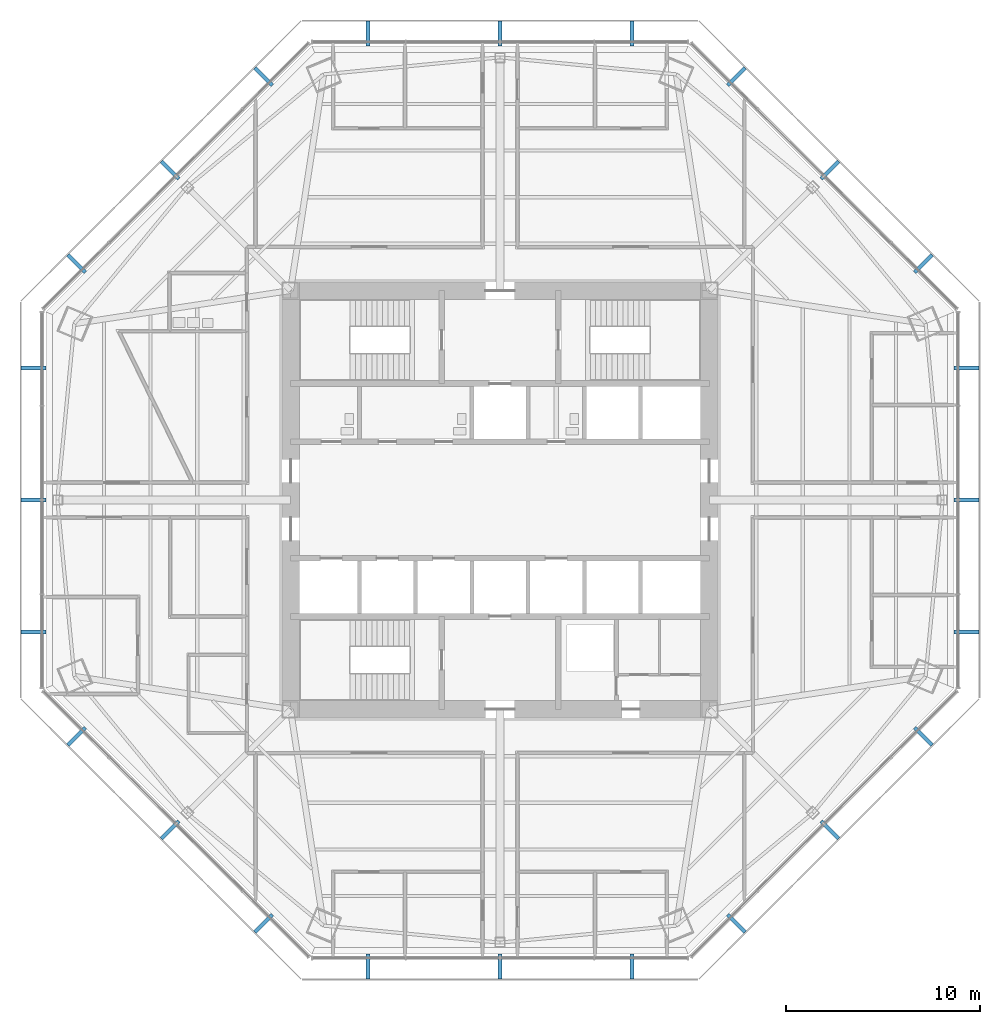
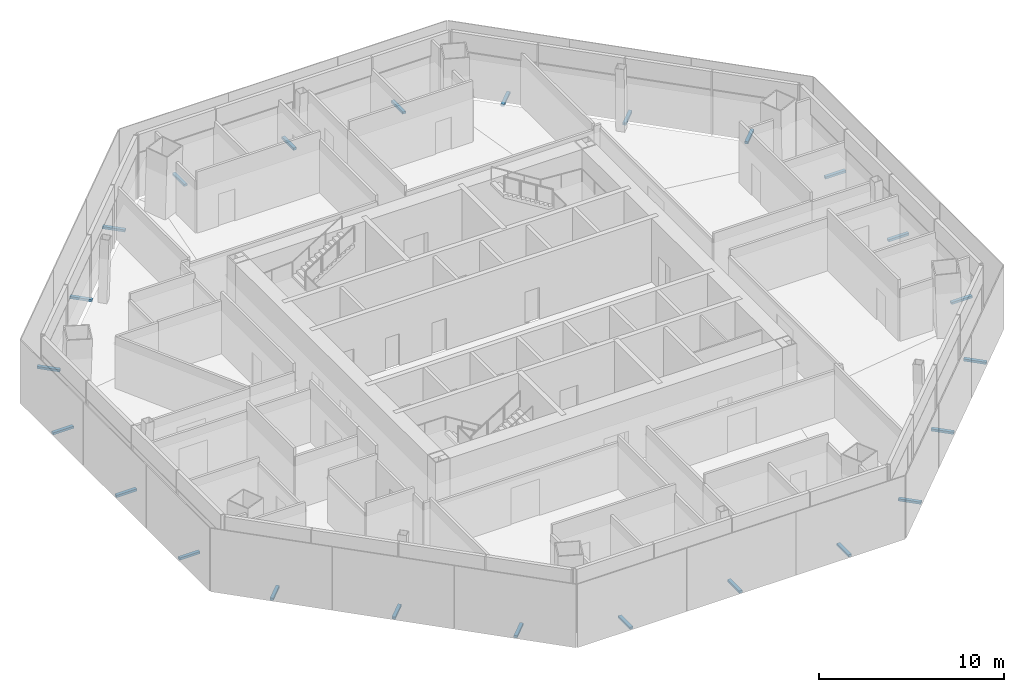
# One storey, part 12 of 15: 24 discrete accessories.
"""IFC4 building model written with IfcOpenShell, lengths in metres."""

from ifc_helpers import new_model, si_unit, direction, frame, origin, origin_2d, place, context, subcontext, project, spatial, rectangle, extrude, source, transform, mapped, material, type_object, type_shapes, element, save


model = new_model("IFC4")

# Units and contexts
model_context = context("Model", 3, precision=1e-05, world=origin(), true_north=direction((0.0, 1.0)))
body_context = subcontext(model_context, "Body", "Model", "MODEL_VIEW")
ifc_project = project(units=[si_unit("LENGTHUNIT", "METRE"), si_unit("AREAUNIT", "SQUARE_METRE"), si_unit("VOLUMEUNIT", "CUBIC_METRE"), si_unit("PLANEANGLEUNIT", "RADIAN"), si_unit("MASSUNIT", "GRAM", prefix="KILO")], contexts=[model_context])

# Site, building, storey
site_placement = place(None, origin())
site = spatial("IfcSite", under=ifc_project, at=site_placement, CompositionType="ELEMENT")
building_placement = place(site_placement, origin())
building = spatial("IfcBuilding", under=site, at=building_placement, Name="Mashrafa Tower", CompositionType="ELEMENT")
storey_placement = place(building_placement, frame((0.0, 0.0, 155.39990234375)))
storey = spatial("IfcBuildingStorey", under=building, at=storey_placement, Name="L35", CompositionType="ELEMENT", Elevation=155.39990234375)

# Discrete accessories
ifc_material = material(Name="Stainless steel screen bracket", Category="steel")
discrete_accessory_type = type_object("IfcDiscreteAccessoryType", Name="Screen support bracket 200 x 150", PredefinedType="BRACKET", material=ifc_material)
shared_shape = source(origin(), body_context, "Body", "SweptSolid", [
    extrude(rectangle(XDim=0.199951171875, YDim=1.27001953125, at=origin_2d()), origin(), (0.0, 0.0, 1.0), 0.14990234375),
])
type_shapes(discrete_accessory_type, [shared_shape])
for number, where, z_axis, x_axis, name in (
    (1, (24.0537109375, -6.81103515625, -0.14990234375), (0.0, 0.0, 1.0), (0.0, 1.0, 0.0), "Screen support bracket L35 east 1"),
    (2, (24.0537109375, 0.0, -0.14990234375), (0.0, 0.0, 1.0), (0.0, 1.0, 0.0), "Screen support bracket L35 east 2"),
    (3, (24.0537109375, 6.81103515625, -0.14990234375), (0.0, 0.0, 1.0), (0.0, 1.0, 0.0), "Screen support bracket L35 east 3"),
    (4, (21.824462890625, 12.1923828125, -0.14990234375), (0.0, 0.0, 1.0), (-0.707106781187, 0.707106781187, 0.0), "Screen support bracket L35 north-east 1"),
    (5, (17.008544921875, 17.008544921875, -0.14990234375), (0.0, 0.0, 1.0), (-0.707106781187, 0.707106781187, 0.0), "Screen support bracket L35 north-east 2"),
    (6, (12.1923828125, 21.824462890625, -0.14990234375), (0.0, 0.0, 1.0), (-0.707106781187, 0.707106781187, 0.0), "Screen support bracket L35 north-east 3"),
    (7, (6.81103515625, 24.0537109375, -0.14990234375), (0.0, 0.0, 1.0), (-1.0, 0.0, 0.0), "Screen support bracket L35 north 1"),
    (8, (0.0, 24.0537109375, -0.14990234375), (0.0, 0.0, 1.0), (-1.0, 0.0, 0.0), "Screen support bracket L35 north 2"),
    (9, (-6.81103515625, 24.0537109375, -0.14990234375), (0.0, 0.0, 1.0), (-1.0, 0.0, 0.0), "Screen support bracket L35 north 3"),
    (10, (-12.1923828125, 21.824462890625, -0.14990234375), (0.0, 0.0, 1.0), (-0.707106781187, -0.707106781187, 0.0), "Screen support bracket L35 north-west 1"),
    (11, (-17.008544921875, 17.008544921875, -0.14990234375), (0.0, 0.0, 1.0), (-0.707106781187, -0.707106781187, 0.0), "Screen support bracket L35 north-west 2"),
    (12, (-21.824462890625, 12.1923828125, -0.14990234375), (0.0, 0.0, 1.0), (-0.707106781187, -0.707106781187, 0.0), "Screen support bracket L35 north-west 3"),
    (13, (-24.0537109375, 6.81103515625, -0.14990234375), (0.0, 0.0, 1.0), (0.0, -1.0, 0.0), "Screen support bracket L35 west 1"),
    (14, (-24.0537109375, 0.0, -0.14990234375), (0.0, 0.0, 1.0), (0.0, -1.0, 0.0), "Screen support bracket L35 west 2"),
    (15, (-24.0537109375, -6.81103515625, -0.14990234375), (0.0, 0.0, 1.0), (0.0, -1.0, 0.0), "Screen support bracket L35 west 3"),
    (16, (-21.824462890625, -12.1923828125, -0.14990234375), (0.0, 0.0, 1.0), (0.707106781187, -0.707106781187, 0.0), "Screen support bracket L35 south-west 1"),
    (17, (-17.008544921875, -17.008544921875, -0.14990234375), (0.0, 0.0, 1.0), (0.707106781187, -0.707106781187, 0.0), "Screen support bracket L35 south-west 2"),
    (18, (-12.1923828125, -21.824462890625, -0.14990234375), (0.0, 0.0, 1.0), (0.707106781187, -0.707106781187, 0.0), "Screen support bracket L35 south-west 3"),
    (19, (-6.81103515625, -24.0537109375, -0.14990234375), (0.0, 0.0, 1.0), (1.0, 0.0, 0.0), "Screen support bracket L35 south 1"),
    (20, (0.0, -24.0537109375, -0.14990234375), (0.0, 0.0, 1.0), (1.0, 0.0, 0.0), "Screen support bracket L35 south 2"),
    (21, (6.81103515625, -24.0537109375, -0.14990234375), (0.0, 0.0, 1.0), (1.0, 0.0, 0.0), "Screen support bracket L35 south 3"),
    (22, (12.1923828125, -21.824462890625, -0.14990234375), (0.0, 0.0, 1.0), (0.707106781187, 0.707106781187, 0.0), "Screen support bracket L35 south-east 1"),
    (23, (17.008544921875, -17.008544921875, -0.14990234375), (0.0, 0.0, 1.0), (0.707106781187, 0.707106781187, 0.0), "Screen support bracket L35 south-east 2"),
    (24, (21.824462890625, -12.1923828125, -0.14990234375), (0.0, 0.0, 1.0), (0.707106781187, 0.707106781187, 0.0), "Screen support bracket L35 south-east 3"),
):
    element("IfcDiscreteAccessory", number, at=place(storey_placement, frame(where, z_axis=z_axis, x_axis=x_axis)), inside=storey, type_object=discrete_accessory_type, Name=name, PredefinedType="BRACKET", context=body_context, shape_type="MappedRepresentation", body=[
        mapped(shared_shape, transform((0.0, 0.0, 0.0))),
    ])

save(model, "model.ifc")
